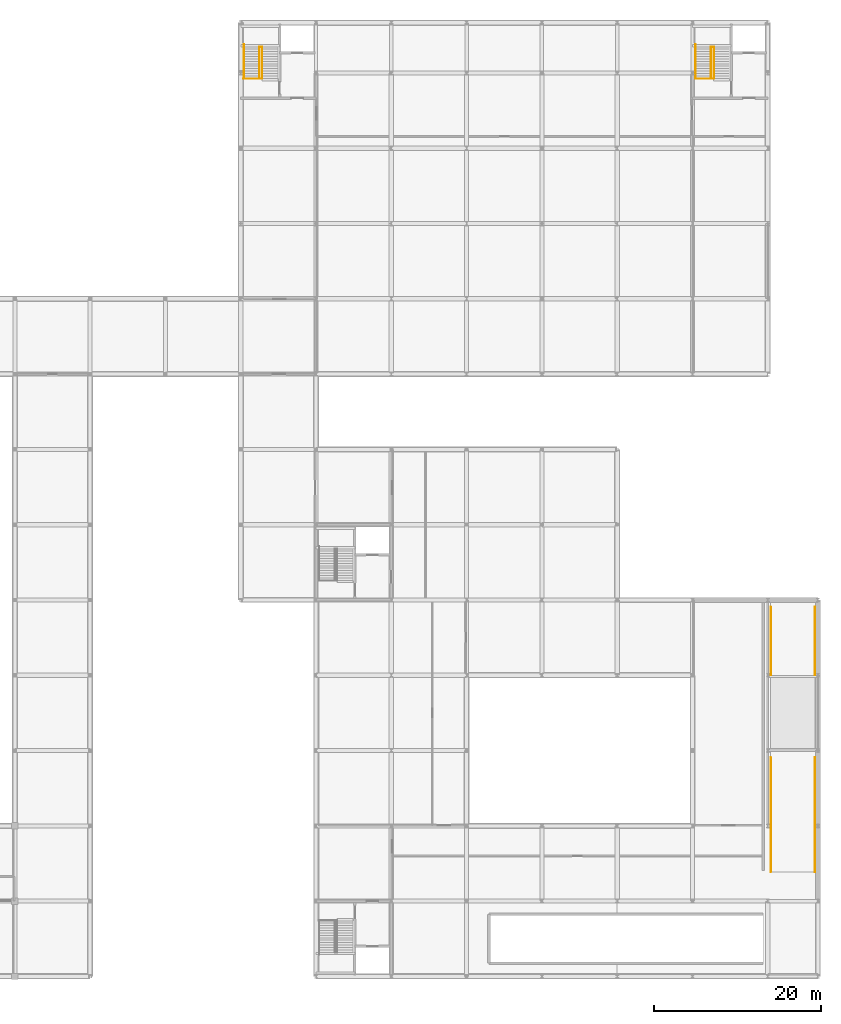
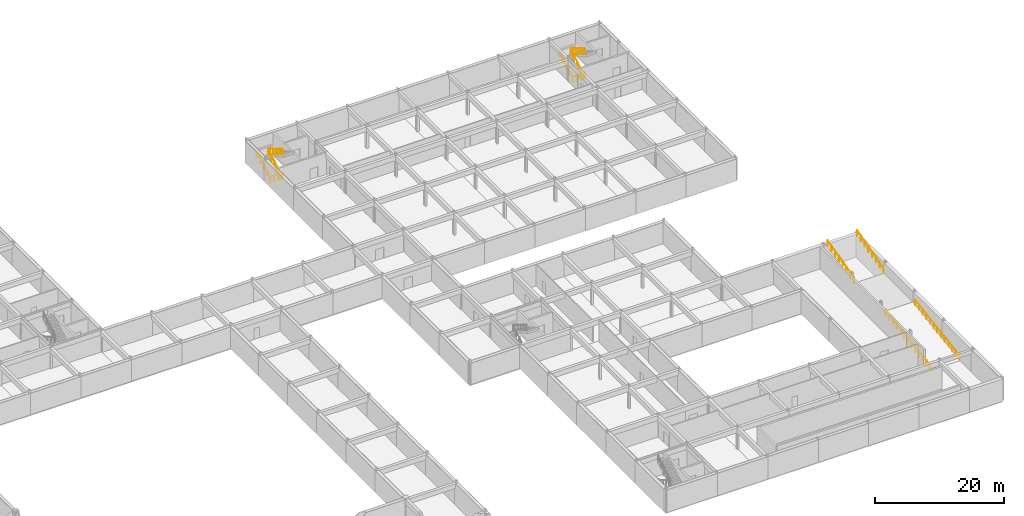
# One storey, part 35 of 35: 10 railings.
"""IFC4 building model written with IfcOpenShell, lengths in metres."""

from ifc_helpers import new_model, si_unit, direction, frame, origin, origin_2d, place, context, subcontext, project, spatial, circle, extrude, material, type_object, element, save


model = new_model("IFC4")

# Units and contexts
model_context = context("Model", 3, precision=1e-05, world=origin(), true_north=direction((0.0, 1.0)))
body_context = subcontext(model_context, "Body", "Model", "MODEL_VIEW")
ifc_project = project(units=[si_unit("LENGTHUNIT", "METRE"), si_unit("AREAUNIT", "SQUARE_METRE"), si_unit("VOLUMEUNIT", "CUBIC_METRE"), si_unit("PLANEANGLEUNIT", "RADIAN"), si_unit("MASSUNIT", "GRAM", prefix="KILO")], contexts=[model_context])

# Site, building, storey
site_placement = place(None, origin())
site = spatial("IfcSite", under=ifc_project, at=site_placement, CompositionType="ELEMENT")
building_placement = place(site_placement, origin())
building = spatial("IfcBuilding", under=site, at=building_placement, Name="Palais des Congres Ocreval", CompositionType="ELEMENT")
storey_placement = place(building_placement, frame((0.0, 0.0, -4.47998046875)))
storey = spatial("IfcBuildingStorey", under=building, at=storey_placement, Name="B1", CompositionType="ELEMENT", Elevation=-4.47998046875)

# Railings
ifc_material_1 = material(Name="Anodized bronze aluminium", Category="aluminium")
railing_type_1 = type_object("IfcRailingType", Name="Bronze Stair and Ramp Handrail 900", PredefinedType="HANDRAIL", material=ifc_material_1)
for number, where, name in (
    (1, (99.3798828125, 107.35009765625, 0.159912109375), "Stair Wall Handrail ST07 B1"),
    (2, (153.3798828125, 107.35009765625, 0.159912109375), "Stair Wall Handrail ST08 B1"),
):
    element("IfcRailing", number, at=place(storey_placement, frame(where)), inside=storey, type_object=railing_type_1, Name=name, PredefinedType="HANDRAIL", context=body_context, shape_type="SweptSolid", body=[
        extrude(circle(Radius=0.02392578125, at=origin_2d()), frame((0.0, 0.0, 0.8759765625), z_axis=(0.0, 0.87556923635, 0.483092654009), x_axis=(-1.0, 0.0, 0.0)), (0.0, 0.0, 1.0), 4.63671875),
        extrude(circle(Radius=0.02099609375, at=origin_2d()), origin(), (0.0, 0.0, 1.0), 0.851806640625),
        extrude(circle(Radius=0.02099609375, at=origin_2d()), frame((0.0, 1.014892578125, 0.56005859375)), (0.0, 0.0, 1.0), 0.851806640625),
        extrude(circle(Radius=0.02099609375, at=origin_2d()), frame((0.0, 2.02978515625, 1.1201171875)), (0.0, 0.0, 1.0), 0.851806640625),
        extrude(circle(Radius=0.02099609375, at=origin_2d()), frame((0.0, 3.044921875, 1.679931640625)), (0.0, 0.0, 1.0), 0.851806640625),
        extrude(circle(Radius=0.02099609375, at=origin_2d()), frame((0.0, 4.059814453125, 2.239990234375)), (0.0, 0.0, 1.0), 0.851806640625),
    ])
ifc_material_2 = material(Name="Steel S355", Category="steel")
railing_type_2 = type_object("IfcRailingType", Name="Stairwell Steel Guardrail 1100", PredefinedType="GUARDRAIL", material=ifc_material_2)
railing_1_placement = place(storey_placement, frame((99.320068359375, 107.300048828125, 0.0)))
element("IfcRailing", 3, at=railing_1_placement, inside=storey, type_object=railing_type_2, Name="Stairwell Landing Edge Guard ST07 B1", PredefinedType="GUARDRAIL", context=body_context, shape_type="SweptSolid", body=[
    extrude(circle(Radius=0.02392578125, at=origin_2d()), frame((0.0, 0.0, 1.076171875), z_axis=(1.0, 0.0, 0.0), x_axis=(0.0, 1.0, 0.0)), (0.0, 0.0, 1.0), 2.25),
    extrude(circle(Radius=0.02099609375, at=origin_2d()), origin(), (0.0, 0.0, 1.0), 1.052001953125),
    extrude(circle(Radius=0.02099609375, at=origin_2d()), frame((0.75, 0.0, 0.0)), (0.0, 0.0, 1.0), 1.052001953125),
    extrude(circle(Radius=0.02099609375, at=origin_2d()), frame((1.5, 0.0, 0.0)), (0.0, 0.0, 1.0), 1.052001953125),
    extrude(circle(Radius=0.02099609375, at=origin_2d()), frame((2.25, 0.0, 0.0)), (0.0, 0.0, 1.0), 1.052001953125),
])
railing_2_placement = place(storey_placement, frame((101.22998046875, 107.35009765625, 0.0)))
element("IfcRailing", 4, at=railing_2_placement, inside=storey, type_object=railing_type_2, Name="Stair Inner Guardrail ST07 B1", PredefinedType="GUARDRAIL", context=body_context, shape_type="SweptSolid", body=[
    extrude(circle(Radius=0.02392578125, at=origin_2d()), frame((0.0, 0.0, 1.076171875), z_axis=(0.0, 0.859700428432, 0.510798564361), x_axis=(-1.0, 0.0, 0.0)), (0.0, 0.0, 1.0), 4.38525390625),
    extrude(circle(Radius=0.02392578125, at=origin_2d()), frame((0.0, 3.77001953125, 3.31591796875), z_axis=(1.0, 0.0, 0.0), x_axis=(0.0, 1.0, 0.0)), (0.0, 0.0, 1.0), 0.340087890625),
    extrude(circle(Radius=0.02392578125, at=origin_2d()), frame((0.340087890625, 3.77001953125, 3.31591796875), z_axis=(0.0, -0.859700428432, 0.510798564361), x_axis=(1.0, 0.0, 0.0)), (0.0, 0.0, 1.0), 4.38525390625),
    extrude(circle(Radius=0.02099609375, at=origin_2d()), origin(), (0.0, 0.0, 1.0), 1.052001953125),
    extrude(circle(Radius=0.02099609375, at=origin_2d()), frame((0.0, 0.9423828125, 0.56005859375)), (0.0, 0.0, 1.0), 1.052001953125),
    extrude(circle(Radius=0.02099609375, at=origin_2d()), frame((0.0, 1.885009765625, 1.1201171875)), (0.0, 0.0, 1.0), 1.052001953125),
    extrude(circle(Radius=0.02099609375, at=origin_2d()), frame((0.0, 2.82763671875, 1.679931640625)), (0.0, 0.0, 1.0), 1.052001953125),
    extrude(circle(Radius=0.02099609375, at=origin_2d()), frame((0.0, 3.77001953125, 2.239990234375)), (0.0, 0.0, 1.0), 1.052001953125),
    extrude(circle(Radius=0.02099609375, at=origin_2d()), frame((0.340087890625, 3.77001953125, 2.239990234375)), (0.0, 0.0, 1.0), 1.052001953125),
    extrude(circle(Radius=0.02099609375, at=origin_2d()), frame((0.340087890625, 2.82763671875, 2.800048828125)), (0.0, 0.0, 1.0), 1.052001953125),
    extrude(circle(Radius=0.02099609375, at=origin_2d()), frame((0.340087890625, 1.885009765625, 3.35986328125)), (0.0, 0.0, 1.0), 1.052001953125),
    extrude(circle(Radius=0.02099609375, at=origin_2d()), frame((0.340087890625, 0.9423828125, 3.919921875)), (0.0, 0.0, 1.0), 1.052001953125),
    extrude(circle(Radius=0.02099609375, at=origin_2d()), frame((0.340087890625, 0.0, 4.47998046875)), (0.0, 0.0, 1.0), 1.052001953125),
])
railing_3_placement = place(storey_placement, frame((153.320068359375, 107.300048828125, 0.0)))
element("IfcRailing", 5, at=railing_3_placement, inside=storey, type_object=railing_type_2, Name="Stairwell Landing Edge Guard ST08 B1", PredefinedType="GUARDRAIL", context=body_context, shape_type="SweptSolid", body=[
    extrude(circle(Radius=0.02392578125, at=origin_2d()), frame((0.0, 0.0, 1.076171875), z_axis=(1.0, 0.0, 0.0), x_axis=(0.0, 1.0, 0.0)), (0.0, 0.0, 1.0), 2.25),
    extrude(circle(Radius=0.02099609375, at=origin_2d()), origin(), (0.0, 0.0, 1.0), 1.052001953125),
    extrude(circle(Radius=0.02099609375, at=origin_2d()), frame((0.75, 0.0, 0.0)), (0.0, 0.0, 1.0), 1.052001953125),
    extrude(circle(Radius=0.02099609375, at=origin_2d()), frame((1.5, 0.0, 0.0)), (0.0, 0.0, 1.0), 1.052001953125),
    extrude(circle(Radius=0.02099609375, at=origin_2d()), frame((2.25, 0.0, 0.0)), (0.0, 0.0, 1.0), 1.052001953125),
])
railing_4_placement = place(storey_placement, frame((155.22998046875, 107.35009765625, 0.0)))
element("IfcRailing", 6, at=railing_4_placement, inside=storey, type_object=railing_type_2, Name="Stair Inner Guardrail ST08 B1", PredefinedType="GUARDRAIL", context=body_context, shape_type="SweptSolid", body=[
    extrude(circle(Radius=0.02392578125, at=origin_2d()), frame((0.0, 0.0, 1.076171875), z_axis=(0.0, 0.859700428432, 0.510798564361), x_axis=(-1.0, 0.0, 0.0)), (0.0, 0.0, 1.0), 4.38525390625),
    extrude(circle(Radius=0.02392578125, at=origin_2d()), frame((0.0, 3.77001953125, 3.31591796875), z_axis=(1.0, 0.0, 0.0), x_axis=(0.0, 1.0, 0.0)), (0.0, 0.0, 1.0), 0.340087890625),
    extrude(circle(Radius=0.02392578125, at=origin_2d()), frame((0.340087890625, 3.77001953125, 3.31591796875), z_axis=(0.0, -0.859700428432, 0.510798564361), x_axis=(1.0, 0.0, 0.0)), (0.0, 0.0, 1.0), 4.38525390625),
    extrude(circle(Radius=0.02099609375, at=origin_2d()), origin(), (0.0, 0.0, 1.0), 1.052001953125),
    extrude(circle(Radius=0.02099609375, at=origin_2d()), frame((0.0, 0.9423828125, 0.56005859375)), (0.0, 0.0, 1.0), 1.052001953125),
    extrude(circle(Radius=0.02099609375, at=origin_2d()), frame((0.0, 1.885009765625, 1.1201171875)), (0.0, 0.0, 1.0), 1.052001953125),
    extrude(circle(Radius=0.02099609375, at=origin_2d()), frame((0.0, 2.82763671875, 1.679931640625)), (0.0, 0.0, 1.0), 1.052001953125),
    extrude(circle(Radius=0.02099609375, at=origin_2d()), frame((0.0, 3.77001953125, 2.239990234375)), (0.0, 0.0, 1.0), 1.052001953125),
    extrude(circle(Radius=0.02099609375, at=origin_2d()), frame((0.340087890625, 3.77001953125, 2.239990234375)), (0.0, 0.0, 1.0), 1.052001953125),
    extrude(circle(Radius=0.02099609375, at=origin_2d()), frame((0.340087890625, 2.82763671875, 2.800048828125)), (0.0, 0.0, 1.0), 1.052001953125),
    extrude(circle(Radius=0.02099609375, at=origin_2d()), frame((0.340087890625, 1.885009765625, 3.35986328125)), (0.0, 0.0, 1.0), 1.052001953125),
    extrude(circle(Radius=0.02099609375, at=origin_2d()), frame((0.340087890625, 0.9423828125, 3.919921875)), (0.0, 0.0, 1.0), 1.052001953125),
    extrude(circle(Radius=0.02099609375, at=origin_2d()), frame((0.340087890625, 0.0, 4.47998046875)), (0.0, 0.0, 1.0), 1.052001953125),
])
railing_5_placement = place(storey_placement, frame((167.639892578125, 12.5, 0.0)))
element("IfcRailing", 7, at=railing_5_placement, inside=storey, type_object=railing_type_2, Name="Car park and loading vehicle ramp R1 Guardrail 1L", PredefinedType="GUARDRAIL", context=body_context, shape_type="SweptSolid", body=[
    extrude(circle(Radius=0.02392578125, at=origin_2d()), frame((0.0, 0.0, 1.076171875), z_axis=(0.0, 0.988277302927, 0.152669487844), x_axis=(-1.0, 0.0, 0.0)), (0.0, 0.0, 1.0), 13.811767578125),
    extrude(circle(Radius=0.02099609375, at=origin_2d()), origin(), (0.0, 0.0, 1.0), 1.052001953125),
    extrude(circle(Radius=0.02099609375, at=origin_2d()), frame((0.0, 1.137451171875, 0.17578125)), (0.0, 0.0, 1.0), 1.052001953125),
    extrude(circle(Radius=0.02099609375, at=origin_2d()), frame((0.0, 2.27490234375, 0.3515625)), (0.0, 0.0, 1.0), 1.052001953125),
    extrude(circle(Radius=0.02099609375, at=origin_2d()), frame((0.0, 3.41259765625, 0.527099609375)), (0.0, 0.0, 1.0), 1.052001953125),
    extrude(circle(Radius=0.02099609375, at=origin_2d()), frame((0.0, 4.550048828125, 0.702880859375)), (0.0, 0.0, 1.0), 1.052001953125),
    extrude(circle(Radius=0.02099609375, at=origin_2d()), frame((0.0, 5.6875, 0.878662109375)), (0.0, 0.0, 1.0), 1.052001953125),
    extrude(circle(Radius=0.02099609375, at=origin_2d()), frame((0.0, 6.824951171875, 1.05419921875)), (0.0, 0.0, 1.0), 1.052001953125),
    extrude(circle(Radius=0.02099609375, at=origin_2d()), frame((0.0, 7.96240234375, 1.22998046875)), (0.0, 0.0, 1.0), 1.052001953125),
    extrude(circle(Radius=0.02099609375, at=origin_2d()), frame((0.0, 9.099853515625, 1.40576171875)), (0.0, 0.0, 1.0), 1.052001953125),
    extrude(circle(Radius=0.02099609375, at=origin_2d()), frame((0.0, 10.2373046875, 1.58154296875)), (0.0, 0.0, 1.0), 1.052001953125),
    extrude(circle(Radius=0.02099609375, at=origin_2d()), frame((0.0, 11.375, 1.75732421875)), (0.0, 0.0, 1.0), 1.052001953125),
    extrude(circle(Radius=0.02099609375, at=origin_2d()), frame((0.0, 12.512451171875, 1.932861328125)), (0.0, 0.0, 1.0), 1.052001953125),
    extrude(circle(Radius=0.02099609375, at=origin_2d()), frame((0.0, 13.64990234375, 2.108642578125)), (0.0, 0.0, 1.0), 1.052001953125),
])
railing_6_placement = place(storey_placement, frame((162.360107421875, 12.5, 0.0)))
element("IfcRailing", 8, at=railing_6_placement, inside=storey, type_object=railing_type_2, Name="Car park and loading vehicle ramp R1 Guardrail 1R", PredefinedType="GUARDRAIL", context=body_context, shape_type="SweptSolid", body=[
    extrude(circle(Radius=0.02392578125, at=origin_2d()), frame((0.0, 0.0, 1.076171875), z_axis=(0.0, 0.988277302927, 0.152669487844), x_axis=(-1.0, 0.0, 0.0)), (0.0, 0.0, 1.0), 13.811767578125),
    extrude(circle(Radius=0.02099609375, at=origin_2d()), origin(), (0.0, 0.0, 1.0), 1.052001953125),
    extrude(circle(Radius=0.02099609375, at=origin_2d()), frame((0.0, 1.137451171875, 0.17578125)), (0.0, 0.0, 1.0), 1.052001953125),
    extrude(circle(Radius=0.02099609375, at=origin_2d()), frame((0.0, 2.27490234375, 0.3515625)), (0.0, 0.0, 1.0), 1.052001953125),
    extrude(circle(Radius=0.02099609375, at=origin_2d()), frame((0.0, 3.41259765625, 0.527099609375)), (0.0, 0.0, 1.0), 1.052001953125),
    extrude(circle(Radius=0.02099609375, at=origin_2d()), frame((0.0, 4.550048828125, 0.702880859375)), (0.0, 0.0, 1.0), 1.052001953125),
    extrude(circle(Radius=0.02099609375, at=origin_2d()), frame((0.0, 5.6875, 0.878662109375)), (0.0, 0.0, 1.0), 1.052001953125),
    extrude(circle(Radius=0.02099609375, at=origin_2d()), frame((0.0, 6.824951171875, 1.05419921875)), (0.0, 0.0, 1.0), 1.052001953125),
    extrude(circle(Radius=0.02099609375, at=origin_2d()), frame((0.0, 7.96240234375, 1.22998046875)), (0.0, 0.0, 1.0), 1.052001953125),
    extrude(circle(Radius=0.02099609375, at=origin_2d()), frame((0.0, 9.099853515625, 1.40576171875)), (0.0, 0.0, 1.0), 1.052001953125),
    extrude(circle(Radius=0.02099609375, at=origin_2d()), frame((0.0, 10.2373046875, 1.58154296875)), (0.0, 0.0, 1.0), 1.052001953125),
    extrude(circle(Radius=0.02099609375, at=origin_2d()), frame((0.0, 11.375, 1.75732421875)), (0.0, 0.0, 1.0), 1.052001953125),
    extrude(circle(Radius=0.02099609375, at=origin_2d()), frame((0.0, 12.512451171875, 1.932861328125)), (0.0, 0.0, 1.0), 1.052001953125),
    extrude(circle(Radius=0.02099609375, at=origin_2d()), frame((0.0, 13.64990234375, 2.108642578125)), (0.0, 0.0, 1.0), 1.052001953125),
])
for number, where, name in (
    (9, (167.639892578125, 36.0, 2.239990234375), "Car park and loading vehicle ramp R1 Guardrail 2L"),
    (10, (162.360107421875, 36.0, 2.239990234375), "Car park and loading vehicle ramp R1 Guardrail 2R"),
):
    element("IfcRailing", number, at=place(storey_placement, frame(where)), inside=storey, type_object=railing_type_2, Name=name, PredefinedType="GUARDRAIL", context=body_context, shape_type="SweptSolid", body=[
        extrude(circle(Radius=0.02392578125, at=origin_2d()), frame((0.0, 0.0, 1.076171875), z_axis=(0.0, 0.970398453322, 0.241509506626), x_axis=(-1.0, 0.0, 0.0)), (0.0, 0.0, 1.0), 8.3984375),
        extrude(circle(Radius=0.02099609375, at=origin_2d()), origin(), (0.0, 0.0, 1.0), 1.052001953125),
        extrude(circle(Radius=0.02099609375, at=origin_2d()), frame((0.0, 1.164306640625, 0.289794921875)), (0.0, 0.0, 1.0), 1.052001953125),
        extrude(circle(Radius=0.02099609375, at=origin_2d()), frame((0.0, 2.32861328125, 0.57958984375)), (0.0, 0.0, 1.0), 1.052001953125),
        extrude(circle(Radius=0.02099609375, at=origin_2d()), frame((0.0, 3.492919921875, 0.869384765625)), (0.0, 0.0, 1.0), 1.052001953125),
        extrude(circle(Radius=0.02099609375, at=origin_2d()), frame((0.0, 4.656982421875, 1.158935546875)), (0.0, 0.0, 1.0), 1.052001953125),
        extrude(circle(Radius=0.02099609375, at=origin_2d()), frame((0.0, 5.8212890625, 1.44873046875)), (0.0, 0.0, 1.0), 1.052001953125),
        extrude(circle(Radius=0.02099609375, at=origin_2d()), frame((0.0, 6.985595703125, 1.738525390625)), (0.0, 0.0, 1.0), 1.052001953125),
        extrude(circle(Radius=0.02099609375, at=origin_2d()), frame((0.0, 8.14990234375, 2.0283203125)), (0.0, 0.0, 1.0), 1.052001953125),
    ])

save(model, "model.ifc")
